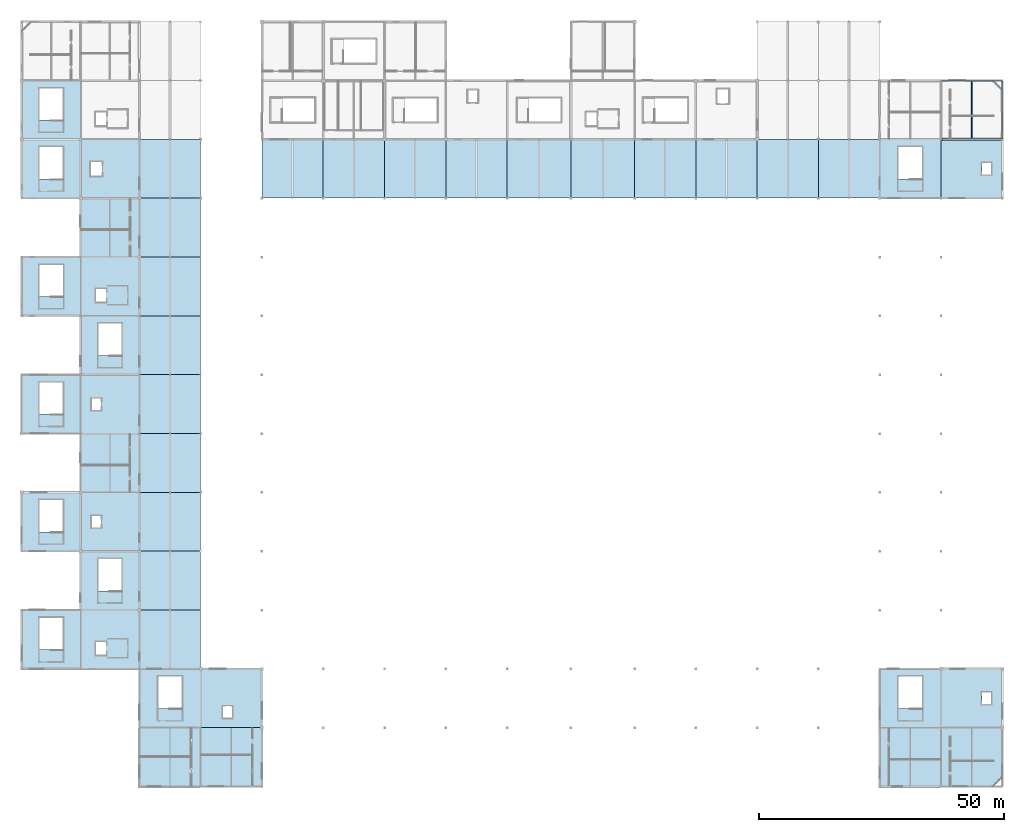
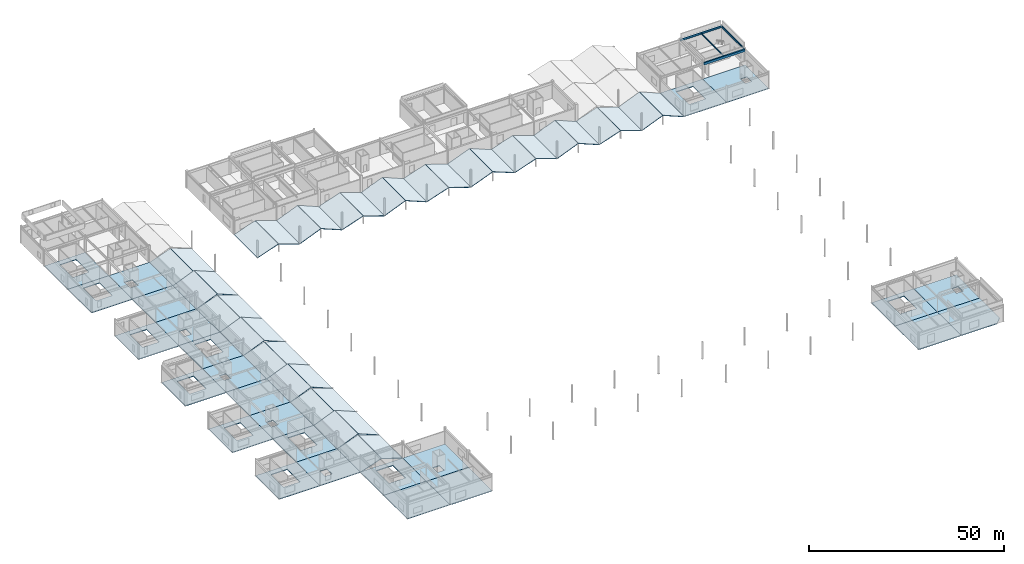
# One storey, part 49 of 76: 63 slabs, 4 beams.
"""IFC4 building model written with IfcOpenShell, lengths in metres."""

from ifc_helpers import new_model, si_unit, direction, frame, origin, origin_2d, place, context, subcontext, project, spatial, polyline, rectangle, i_section, outline, extrude, material, layer, layer_set, material_profile, profile_set, type_object, element, save


model = new_model("IFC4")

# Units and contexts
model_context = context("Model", 3, precision=1e-05, world=origin(), true_north=direction((0.0, 1.0)))
body_context = subcontext(model_context, "Body", "Model", "MODEL_VIEW")
ifc_project = project(units=[si_unit("LENGTHUNIT", "METRE"), si_unit("AREAUNIT", "SQUARE_METRE"), si_unit("VOLUMEUNIT", "CUBIC_METRE"), si_unit("PLANEANGLEUNIT", "RADIAN"), si_unit("MASSUNIT", "GRAM", prefix="KILO")], contexts=[model_context])

# Site, building, storey
site_placement = place(None, origin())
site = spatial("IfcSite", under=ifc_project, at=site_placement, CompositionType="ELEMENT")
building_placement = place(site_placement, origin())
building = spatial("IfcBuilding", under=site, at=building_placement, Name="Kazenohara Klinker Stadium", CompositionType="ELEMENT")
storey_placement = place(building_placement, frame((0.0, 0.0, 25.800048828125)))
storey = spatial("IfcBuildingStorey", under=building, at=storey_placement, Name="L05", CompositionType="ELEMENT", Elevation=25.800048828125)

# Beams
ifc_material_1 = material(Name="Steel S355", Category="steel")
ifc_material_profile_1 = material_profile(ifc_material_1, i_section(OverallWidth=0.175048828125, OverallDepth=0.35009765625, WebThickness=0.007080078125, FlangeThickness=0.010986328125, FilletRadius=0.012939453125, at=origin_2d()), Name="H-350x175x7x11")
ifc_profile_set_1 = profile_set([ifc_material_profile_1], Name="Steel S355")
beam_type_1 = type_object("IfcBeamType", Name="BM-JST04", PredefinedType="JOIST", material=ifc_profile_set_1)
beam_1_placement = place(storey_placement, frame((193.75, 144.199951171875, 4.864990234375), z_axis=(0.0, 1.0, 0.0), x_axis=(-1.0, 0.0, 0.0)))
element("IfcBeam", 1, at=beam_1_placement, inside=storey, type_object=beam_type_1, Name="Secondary floor joist SJ04 L05 16/N", PredefinedType="JOIST", context=body_context, shape_type="SweptSolid", body=[
    extrude(i_section(OverallWidth=0.175048828125, OverallDepth=0.35009765625, WebThickness=0.007080078125, FlangeThickness=0.010986328125, FilletRadius=0.012939453125, at=origin_2d()), origin(), (0.0, 0.0, 1.0), 11.699951171875),
])
ifc_material_2 = material(Name="Concrete C40/50", Category="concrete")
ifc_material_profile_2 = material_profile(ifc_material_2, rectangle(XDim=0.39990234375, YDim=0.699951171875, at=origin_2d()), Name="RC-BM-400x700")
ifc_profile_set_2 = profile_set([ifc_material_profile_2], Name="Concrete C40/50")
beam_type_2 = type_object("IfcBeamType", Name="BM-RC04", PredefinedType="BEAM", material=ifc_profile_set_2)
beam_2_placement = place(storey_placement, frame((187.675048828125, 144.0, 4.68994140625), z_axis=(1.0, 0.0, 0.0), x_axis=(0.0, 1.0, 0.0)))
element("IfcBeam", 2, at=beam_2_placement, inside=storey, type_object=beam_type_2, Name="Primary girder BG04 L05 16-17/N", PredefinedType="BEAM", context=body_context, shape_type="SweptSolid", body=[
    extrude(rectangle(XDim=0.39990234375, YDim=0.699951171875, at=origin_2d()), origin(), (0.0, 0.0, 1.0), 12.175048828125),
])
ifc_material_profile_3 = material_profile(ifc_material_1, i_section(OverallWidth=0.199951171875, OverallDepth=0.60009765625, WebThickness=0.010986328125, FlangeThickness=0.01708984375, FilletRadius=0.012939453125, at=origin_2d()), Name="H-600x200x11x17")
ifc_profile_set_3 = profile_set([ifc_material_profile_3], Name="Steel S355")
beam_type_3 = type_object("IfcBeamType", Name="BM-ST04", PredefinedType="BEAM", material=ifc_profile_set_3)
beam_3_placement = place(storey_placement, frame((187.64990234375, 156.0, 4.739990234375), z_axis=(1.0, 0.0, 0.0), x_axis=(0.0, 1.0, 0.0)))
element("IfcBeam", 3, at=beam_3_placement, inside=storey, type_object=beam_type_3, Name="Primary girder SB04 L05 16-17/P", PredefinedType="BEAM", context=body_context, shape_type="SweptSolid", body=[
    extrude(i_section(OverallWidth=0.199951171875, OverallDepth=0.60009765625, WebThickness=0.010986328125, FlangeThickness=0.01708984375, FilletRadius=0.012939453125, at=origin_2d()), origin(), (0.0, 0.0, 1.0), 12.22509765625),
])
beam_4_placement = place(storey_placement, frame((200.0, 144.14990234375, 4.739990234375), z_axis=(0.0, 1.0, 0.0), x_axis=(-1.0, 0.0, 0.0)))
element("IfcBeam", 4, at=beam_4_placement, inside=storey, type_object=beam_type_3, Name="Primary girder SB04 L05 17/N-P", PredefinedType="BEAM", context=body_context, shape_type="SweptSolid", body=[
    extrude(i_section(OverallWidth=0.199951171875, OverallDepth=0.60009765625, WebThickness=0.010986328125, FlangeThickness=0.01708984375, FilletRadius=0.012939453125, at=origin_2d()), origin(), (0.0, 0.0, 1.0), 11.72509765625),
])

# Slabs
ifc_layer_1 = layer(ifc_material_2, 0.219970703125)
ifc_layer_set_1 = layer_set([ifc_layer_1], Name="Concrete C40/50")
slab_type_1 = type_object("IfcSlabType", Name="SLB-FLR-220", PredefinedType="FLOOR", material=ifc_layer_set_1)
slab_1_placement = place(storey_placement, frame((0.0, 0.0, -0.219970703125)))
element("IfcSlab", 5, at=slab_1_placement, inside=storey, type_object=slab_type_1, Name="Floor slab FS06 L05 1/D", PredefinedType="FLOOR", context=body_context, shape_type="SweptSolid", body=[
    extrude(outline(polyline([(0.0, 36.0), (12.0, 36.0), (12.0, 48.0), (0.0, 48.0), (0.0, 36.0)]), holes=[polyline([(8.39990234375, 39.919921875), (8.39990234375, 46.4599609375), (3.60009765625, 46.4599609375), (3.60009765625, 39.919921875), (8.39990234375, 39.919921875)])]), origin(), (0.0, 0.0, 1.0), 0.219970703125),
])
slab_2_placement = place(storey_placement, frame((0.0, 0.0, -0.219970703125)))
element("IfcSlab", 6, at=slab_2_placement, inside=storey, type_object=slab_type_1, Name="Floor slab FS06 L05 1/F", PredefinedType="FLOOR", context=body_context, shape_type="SweptSolid", body=[
    extrude(outline(polyline([(0.0, 60.0), (12.0, 60.0), (12.0, 72.0), (0.0, 72.0), (0.0, 60.0)]), holes=[polyline([(8.409912109375, 63.929931640625), (8.409912109375, 70.4599609375), (3.590087890625, 70.4599609375), (3.590087890625, 63.929931640625), (8.409912109375, 63.929931640625)])]), origin(), (0.0, 0.0, 1.0), 0.219970703125),
])
slab_3_placement = place(storey_placement, frame((0.0, 0.0, -0.219970703125)))
element("IfcSlab", 7, at=slab_3_placement, inside=storey, type_object=slab_type_1, Name="Floor slab FS06 L05 1/H", PredefinedType="FLOOR", context=body_context, shape_type="SweptSolid", body=[
    extrude(outline(polyline([(0.0, 84.0), (12.0, 84.0), (12.0, 96.0), (0.0, 96.0), (0.0, 84.0)]), holes=[polyline([(8.429931640625, 87.949951171875), (8.429931640625, 94.4599609375), (3.570068359375, 94.4599609375), (3.570068359375, 87.949951171875), (8.429931640625, 87.949951171875)])]), origin(), (0.0, 0.0, 1.0), 0.219970703125),
])
slab_4_placement = place(storey_placement, frame((0.0, 0.0, -0.219970703125)))
element("IfcSlab", 8, at=slab_4_placement, inside=storey, type_object=slab_type_1, Name="Floor slab FS06 L05 1/K", PredefinedType="FLOOR", context=body_context, shape_type="SweptSolid", body=[
    extrude(outline(polyline([(0.0, 108.0), (12.0, 108.0), (12.0, 120.0), (0.0, 120.0), (0.0, 108.0)]), holes=[polyline([(8.43994140625, 111.9599609375), (8.43994140625, 118.4599609375), (3.56005859375, 118.4599609375), (3.56005859375, 111.9599609375), (8.43994140625, 111.9599609375)])]), origin(), (0.0, 0.0, 1.0), 0.219970703125),
])
slab_5_placement = place(storey_placement, frame((0.0, 0.0, -0.219970703125)))
element("IfcSlab", 9, at=slab_5_placement, inside=storey, type_object=slab_type_1, Name="Floor slab FS06 L05 1/M", PredefinedType="FLOOR", context=body_context, shape_type="SweptSolid", body=[
    extrude(outline(polyline([(0.0, 132.0), (12.0, 132.0), (12.0, 144.0), (0.0, 144.0), (0.0, 132.0)]), holes=[polyline([(8.39990234375, 135.919921875), (8.39990234375, 142.4599609375), (3.60009765625, 142.4599609375), (3.60009765625, 135.919921875), (8.39990234375, 135.919921875)])]), origin(), (0.0, 0.0, 1.0), 0.219970703125),
])
slab_6_placement = place(storey_placement, frame((0.0, 0.0, -0.219970703125)))
element("IfcSlab", 10, at=slab_6_placement, inside=storey, type_object=slab_type_1, Name="Floor slab FS06 L05 1/N", PredefinedType="FLOOR", context=body_context, shape_type="SweptSolid", body=[
    extrude(outline(polyline([(0.0, 144.0), (12.0, 144.0), (12.0, 156.0), (0.0, 156.0), (0.0, 144.0)]), holes=[polyline([(8.409912109375, 147.929931640625), (8.409912109375, 154.4599609375), (3.590087890625, 154.4599609375), (3.590087890625, 147.929931640625), (8.409912109375, 147.929931640625)])]), origin(), (0.0, 0.0, 1.0), 0.219970703125),
])
slab_7_placement = place(storey_placement, frame((0.0, 0.0, -0.219970703125)))
element("IfcSlab", 11, at=slab_7_placement, inside=storey, type_object=slab_type_1, Name="Floor slab FS06 L05 2/D", PredefinedType="FLOOR", context=body_context, shape_type="SweptSolid", body=[
    extrude(outline(polyline([(12.0, 36.0), (24.0, 36.0), (24.0, 48.0), (12.0, 48.0), (12.0, 36.0)]), holes=[polyline([(15.14990234375, 38.85009765625), (17.25, 38.85009765625), (17.25, 41.550048828125), (15.14990234375, 41.550048828125), (15.14990234375, 38.85009765625)])]), origin(), (0.0, 0.0, 1.0), 0.219970703125),
])
slab_8_placement = place(storey_placement, frame((0.0, 0.0, -0.219970703125)))
element("IfcSlab", 12, at=slab_8_placement, inside=storey, type_object=slab_type_1, Name="Floor slab FS06 L05 2/E", PredefinedType="FLOOR", context=body_context, shape_type="SweptSolid", body=[
    extrude(outline(polyline([(12.0, 48.0), (24.0, 48.0), (24.0, 60.0), (12.0, 60.0), (12.0, 48.0)]), holes=[polyline([(20.39990234375, 51.919921875), (20.39990234375, 58.4599609375), (15.60009765625, 58.4599609375), (15.60009765625, 51.919921875), (20.39990234375, 51.919921875)])]), origin(), (0.0, 0.0, 1.0), 0.219970703125),
])
slab_9_placement = place(storey_placement, frame((0.0, 0.0, -0.219970703125)))
element("IfcSlab", 13, at=slab_9_placement, inside=storey, type_object=slab_type_1, Name="Floor slab FS06 L05 2/F", PredefinedType="FLOOR", context=body_context, shape_type="SweptSolid", body=[
    extrude(outline(polyline([(12.0, 60.0), (24.0, 60.0), (24.0, 72.0), (12.0, 72.0), (12.0, 60.0)]), holes=[polyline([(14.25, 64.800048828125), (16.14990234375, 64.800048828125), (16.14990234375, 67.199951171875), (14.25, 67.199951171875), (14.25, 64.800048828125)])]), origin(), (0.0, 0.0, 1.0), 0.219970703125),
])
slab_10_placement = place(storey_placement, frame((0.0, 0.0, -0.219970703125)))
element("IfcSlab", 14, at=slab_10_placement, inside=storey, type_object=slab_type_1, Name="Floor slab FS06 L05 2/G", PredefinedType="FLOOR", context=body_context, shape_type="SweptSolid", body=[
    extrude(outline(polyline([(12.0, 72.0), (24.0, 72.0), (24.0, 84.0), (12.0, 84.0), (12.0, 72.0)])), origin(), (0.0, 0.0, 1.0), 0.219970703125),
])
slab_11_placement = place(storey_placement, frame((0.0, 0.0, -0.219970703125)))
element("IfcSlab", 15, at=slab_11_placement, inside=storey, type_object=slab_type_1, Name="Floor slab FS06 L05 2/H", PredefinedType="FLOOR", context=body_context, shape_type="SweptSolid", body=[
    extrude(outline(polyline([(12.0, 84.0), (24.0, 84.0), (24.0, 96.0), (12.0, 96.0), (12.0, 84.0)]), holes=[polyline([(14.25, 88.800048828125), (16.14990234375, 88.800048828125), (16.14990234375, 91.199951171875), (14.25, 91.199951171875), (14.25, 88.800048828125)])]), origin(), (0.0, 0.0, 1.0), 0.219970703125),
])
slab_12_placement = place(storey_placement, frame((0.0, 0.0, -0.219970703125)))
element("IfcSlab", 16, at=slab_12_placement, inside=storey, type_object=slab_type_1, Name="Floor slab FS06 L05 2/J", PredefinedType="FLOOR", context=body_context, shape_type="SweptSolid", body=[
    extrude(outline(polyline([(12.0, 96.0), (24.0, 96.0), (24.0, 108.0), (12.0, 108.0), (12.0, 96.0)]), holes=[polyline([(20.409912109375, 99.929931640625), (20.409912109375, 106.4599609375), (15.590087890625, 106.4599609375), (15.590087890625, 99.929931640625), (20.409912109375, 99.929931640625)])]), origin(), (0.0, 0.0, 1.0), 0.219970703125),
])
slab_13_placement = place(storey_placement, frame((0.0, 0.0, -0.219970703125)))
element("IfcSlab", 17, at=slab_13_placement, inside=storey, type_object=slab_type_1, Name="Floor slab FS06 L05 2/K", PredefinedType="FLOOR", context=body_context, shape_type="SweptSolid", body=[
    extrude(outline(polyline([(12.0, 108.0), (24.0, 108.0), (24.0, 120.0), (12.0, 120.0), (12.0, 108.0)]), holes=[polyline([(15.14990234375, 110.85009765625), (17.25, 110.85009765625), (17.25, 113.550048828125), (15.14990234375, 113.550048828125), (15.14990234375, 110.85009765625)])]), origin(), (0.0, 0.0, 1.0), 0.219970703125),
])
slab_14_placement = place(storey_placement, frame((0.0, 0.0, -0.219970703125)))
element("IfcSlab", 18, at=slab_14_placement, inside=storey, type_object=slab_type_1, Name="Floor slab FS06 L05 2/L", PredefinedType="FLOOR", context=body_context, shape_type="SweptSolid", body=[
    extrude(outline(polyline([(12.0, 120.0), (24.0, 120.0), (24.0, 132.0), (12.0, 132.0), (12.0, 120.0)])), origin(), (0.0, 0.0, 1.0), 0.219970703125),
])
slab_15_placement = place(storey_placement, frame((0.0, 0.0, -0.219970703125)))
element("IfcSlab", 19, at=slab_15_placement, inside=storey, type_object=slab_type_1, Name="Floor slab FS06 L05 2/M", PredefinedType="FLOOR", context=body_context, shape_type="SweptSolid", body=[
    extrude(outline(polyline([(12.0, 132.0), (24.0, 132.0), (24.0, 144.0), (12.0, 144.0), (12.0, 132.0)]), holes=[polyline([(14.050048828125, 136.550048828125), (16.35009765625, 136.550048828125), (16.35009765625, 139.449951171875), (14.050048828125, 139.449951171875), (14.050048828125, 136.550048828125)])]), origin(), (0.0, 0.0, 1.0), 0.219970703125),
])
slab_16_placement = place(storey_placement, frame((0.0, 0.0, -0.219970703125)))
element("IfcSlab", 20, at=slab_16_placement, inside=storey, type_object=slab_type_1, Name="Floor slab FS06 L05 3/B", PredefinedType="FLOOR", context=body_context, shape_type="SweptSolid", body=[
    extrude(outline(polyline([(24.0, 12.0), (36.5, 12.0), (36.5, 24.0), (24.0, 24.0), (24.0, 12.0)])), origin(), (0.0, 0.0, 1.0), 0.219970703125),
])
slab_17_placement = place(storey_placement, frame((0.0, 0.0, -0.219970703125)))
element("IfcSlab", 21, at=slab_17_placement, inside=storey, type_object=slab_type_1, Name="Floor slab FS06 L05 3/C", PredefinedType="FLOOR", context=body_context, shape_type="SweptSolid", body=[
    extrude(outline(polyline([(24.0, 24.0), (36.5, 24.0), (36.5, 36.0), (24.0, 36.0), (24.0, 24.0)]), holes=[polyline([(32.679931640625, 27.949951171875), (32.679931640625, 34.4599609375), (27.820068359375, 34.4599609375), (27.820068359375, 27.949951171875), (32.679931640625, 27.949951171875)])]), origin(), (0.0, 0.0, 1.0), 0.219970703125),
])
slab_18_placement = place(storey_placement, frame((0.0, 0.0, -0.219970703125)))
element("IfcSlab", 22, at=slab_18_placement, inside=storey, type_object=slab_type_1, Name="Floor slab FS06 L05 4/B", PredefinedType="FLOOR", context=body_context, shape_type="SweptSolid", body=[
    extrude(outline(polyline([(36.5, 12.0), (49.0, 12.0), (49.0, 24.0), (36.5, 24.0), (36.5, 12.0)])), origin(), (0.0, 0.0, 1.0), 0.219970703125),
])
slab_19_placement = place(storey_placement, frame((0.0, 0.0, -0.219970703125)))
element("IfcSlab", 23, at=slab_19_placement, inside=storey, type_object=slab_type_1, Name="Floor slab FS06 L05 4/C", PredefinedType="FLOOR", context=body_context, shape_type="SweptSolid", body=[
    extrude(outline(polyline([(36.5, 24.0), (49.0, 24.0), (49.0, 36.0), (36.5, 36.0), (36.5, 24.0)]), holes=[polyline([(41.050048828125, 26.0), (42.949951171875, 26.0), (42.949951171875, 28.39990234375), (41.050048828125, 28.39990234375), (41.050048828125, 26.0)])]), origin(), (0.0, 0.0, 1.0), 0.219970703125),
])
slab_20_placement = place(storey_placement, frame((0.0, 0.0, -0.219970703125)))
element("IfcSlab", 24, at=slab_20_placement, inside=storey, type_object=slab_type_1, Name="Floor slab FS06 L05 15/B", PredefinedType="FLOOR", context=body_context, shape_type="SweptSolid", body=[
    extrude(outline(polyline([(175.0, 12.0), (187.5, 12.0), (187.5, 24.0), (175.0, 24.0), (175.0, 12.0)])), origin(), (0.0, 0.0, 1.0), 0.219970703125),
])
slab_21_placement = place(storey_placement, frame((0.0, 0.0, -0.219970703125)))
element("IfcSlab", 25, at=slab_21_placement, inside=storey, type_object=slab_type_1, Name="Floor slab FS06 L05 15/C", PredefinedType="FLOOR", context=body_context, shape_type="SweptSolid", body=[
    extrude(outline(polyline([(175.0, 24.0), (187.5, 24.0), (187.5, 36.0), (175.0, 36.0), (175.0, 24.0)]), holes=[polyline([(183.68994140625, 27.9599609375), (183.68994140625, 34.4599609375), (178.81005859375, 34.4599609375), (178.81005859375, 27.9599609375), (183.68994140625, 27.9599609375)])]), origin(), (0.0, 0.0, 1.0), 0.219970703125),
])
slab_22_placement = place(storey_placement, frame((0.0, 0.0, -0.219970703125)))
element("IfcSlab", 26, at=slab_22_placement, inside=storey, type_object=slab_type_1, Name="Floor slab FS06 L05 15/M", PredefinedType="FLOOR", context=body_context, shape_type="SweptSolid", body=[
    extrude(outline(polyline([(175.0, 132.0), (187.5, 132.0), (187.5, 144.0), (175.0, 144.0), (175.0, 132.0)]), holes=[polyline([(183.68994140625, 135.9599609375), (183.68994140625, 142.4599609375), (178.81005859375, 142.4599609375), (178.81005859375, 135.9599609375), (183.68994140625, 135.9599609375)])]), origin(), (0.0, 0.0, 1.0), 0.219970703125),
])
slab_23_placement = place(storey_placement, frame((0.0, 0.0, -0.219970703125)))
element("IfcSlab", 27, at=slab_23_placement, inside=storey, type_object=slab_type_1, Name="Floor slab FS06 L05 16/B", PredefinedType="FLOOR", context=body_context, shape_type="SweptSolid", body=[
    extrude(outline(polyline([(187.5, 12.0), (198.199951171875, 12.0), (200.0, 13.800048828125), (200.0, 24.0), (187.5, 24.0), (187.5, 12.0)])), origin(), (0.0, 0.0, 1.0), 0.219970703125),
])
slab_24_placement = place(storey_placement, frame((0.0, 0.0, -0.219970703125)))
element("IfcSlab", 28, at=slab_24_placement, inside=storey, type_object=slab_type_1, Name="Floor slab FS06 L05 16/C", PredefinedType="FLOOR", context=body_context, shape_type="SweptSolid", body=[
    extrude(outline(polyline([(187.5, 24.0), (200.0, 24.0), (200.0, 36.0), (187.5, 36.0), (187.5, 24.0)]), holes=[polyline([(195.85009765625, 28.800048828125), (197.75, 28.800048828125), (197.75, 31.199951171875), (195.85009765625, 31.199951171875), (195.85009765625, 28.800048828125)])]), origin(), (0.0, 0.0, 1.0), 0.219970703125),
])
slab_25_placement = place(storey_placement, frame((0.0, 0.0, -0.219970703125)))
element("IfcSlab", 29, at=slab_25_placement, inside=storey, type_object=slab_type_1, Name="Floor slab FS06 L05 16/M", PredefinedType="FLOOR", context=body_context, shape_type="SweptSolid", body=[
    extrude(outline(polyline([(187.5, 132.0), (200.0, 132.0), (200.0, 144.0), (187.5, 144.0), (187.5, 132.0)]), holes=[polyline([(195.85009765625, 136.800048828125), (197.75, 136.800048828125), (197.75, 139.199951171875), (195.85009765625, 139.199951171875), (195.85009765625, 136.800048828125)])]), origin(), (0.0, 0.0, 1.0), 0.219970703125),
])
ifc_layer_2 = layer(ifc_material_1, 0.169921875)
ifc_layer_set_2 = layer_set([ifc_layer_2], Name="Steel S355")
slab_type_2 = type_object("IfcSlabType", Name="SLB-ROOF-170", PredefinedType="ROOF", material=ifc_layer_set_2)
for number, where, z_axis, x_axis, name in (
    (30, (24.0, 36.0, -0.080078125), (-0.327656136105, 0.0, 0.944797045123), (0.944797045123, 0.0, 0.327656136105), "Sloped snow-shedding wing roof RS02 L05 3/D A"),
    (31, (30.300048828125, 36.0, 2.070068359375), (0.327656136105, 0.0, 0.944797045123), (0.944797045123, 0.0, -0.327656136105), "Sloped snow-shedding wing roof RS02 L05 3/D B"),
):
    element("IfcSlab", number, at=place(storey_placement, frame(where, z_axis=z_axis, x_axis=x_axis)), inside=storey, type_object=slab_type_2, Name=name, PredefinedType="ROOF", context=body_context, shape_type="SweptSolid", body=[
        extrude(outline(polyline([(0.0, 0.0), (6.562204236223097, 0.0), (6.562204236223097, 12.0), (0.0, 12.0), (0.0, 0.0)])), origin(), (0.0, 0.0, -1.0), 0.169921875),
    ])
for number, where, z_axis, x_axis, name in (
    (32, (24.0, 48.0, -0.080078125), (-0.380383442935, 0.0, 0.924828868678), (0.924828868678, 0.0, 0.380383442935), "Sloped snow-shedding wing roof RS02 L05 3/E A"),
    (33, (30.300048828125, 48.0, 2.469970703125), (0.380383442935, 0.0, 0.924828868678), (0.924828868678, 0.0, -0.380383442935), "Sloped snow-shedding wing roof RS02 L05 3/E B"),
):
    element("IfcSlab", number, at=place(storey_placement, frame(where, z_axis=z_axis, x_axis=x_axis)), inside=storey, type_object=slab_type_2, Name=name, PredefinedType="ROOF", context=body_context, shape_type="SweptSolid", body=[
        extrude(outline(polyline([(0.0, 0.0), (6.703890181040846, 0.0), (6.703890181040846, 12.0), (0.0, 12.0), (0.0, 0.0)])), origin(), (0.0, 0.0, -1.0), 0.169921875),
    ])
for number, where, z_axis, x_axis, name in (
    (34, (24.0, 60.0, -0.080078125), (-0.327656136105, 0.0, 0.944797045123), (0.944797045123, 0.0, 0.327656136105), "Sloped snow-shedding wing roof RS02 L05 3/F A"),
    (35, (30.300048828125, 60.0, 2.070068359375), (0.327656136105, 0.0, 0.944797045123), (0.944797045123, 0.0, -0.327656136105), "Sloped snow-shedding wing roof RS02 L05 3/F B"),
):
    element("IfcSlab", number, at=place(storey_placement, frame(where, z_axis=z_axis, x_axis=x_axis)), inside=storey, type_object=slab_type_2, Name=name, PredefinedType="ROOF", context=body_context, shape_type="SweptSolid", body=[
        extrude(outline(polyline([(0.0, 0.0), (6.562204236223097, 0.0), (6.562204236223097, 12.0), (0.0, 12.0), (0.0, 0.0)])), origin(), (0.0, 0.0, -1.0), 0.169921875),
    ])
for number, where, z_axis, x_axis, name in (
    (36, (24.0, 72.0, -0.080078125), (-0.380383442935, 0.0, 0.924828868678), (0.924828868678, 0.0, 0.380383442935), "Sloped snow-shedding wing roof RS02 L05 3/G A"),
    (37, (30.300048828125, 72.0, 2.469970703125), (0.380383442935, 0.0, 0.924828868678), (0.924828868678, 0.0, -0.380383442935), "Sloped snow-shedding wing roof RS02 L05 3/G B"),
):
    element("IfcSlab", number, at=place(storey_placement, frame(where, z_axis=z_axis, x_axis=x_axis)), inside=storey, type_object=slab_type_2, Name=name, PredefinedType="ROOF", context=body_context, shape_type="SweptSolid", body=[
        extrude(outline(polyline([(0.0, 0.0), (6.703890181040846, 0.0), (6.703890181040846, 12.0), (0.0, 12.0), (0.0, 0.0)])), origin(), (0.0, 0.0, -1.0), 0.169921875),
    ])
for number, where, z_axis, x_axis, name in (
    (38, (24.0, 84.0, -0.080078125), (-0.327656136105, 0.0, 0.944797045123), (0.944797045123, 0.0, 0.327656136105), "Sloped snow-shedding wing roof RS02 L05 3/H A"),
    (39, (30.300048828125, 84.0, 2.070068359375), (0.327656136105, 0.0, 0.944797045123), (0.944797045123, 0.0, -0.327656136105), "Sloped snow-shedding wing roof RS02 L05 3/H B"),
):
    element("IfcSlab", number, at=place(storey_placement, frame(where, z_axis=z_axis, x_axis=x_axis)), inside=storey, type_object=slab_type_2, Name=name, PredefinedType="ROOF", context=body_context, shape_type="SweptSolid", body=[
        extrude(outline(polyline([(0.0, 0.0), (6.562204236223097, 0.0), (6.562204236223097, 12.0), (0.0, 12.0), (0.0, 0.0)])), origin(), (0.0, 0.0, -1.0), 0.169921875),
    ])
for number, where, z_axis, x_axis, name in (
    (40, (24.0, 96.0, -0.080078125), (-0.380383442935, 0.0, 0.924828868678), (0.924828868678, 0.0, 0.380383442935), "Sloped snow-shedding wing roof RS02 L05 3/J A"),
    (41, (30.300048828125, 96.0, 2.469970703125), (0.380383442935, 0.0, 0.924828868678), (0.924828868678, 0.0, -0.380383442935), "Sloped snow-shedding wing roof RS02 L05 3/J B"),
):
    element("IfcSlab", number, at=place(storey_placement, frame(where, z_axis=z_axis, x_axis=x_axis)), inside=storey, type_object=slab_type_2, Name=name, PredefinedType="ROOF", context=body_context, shape_type="SweptSolid", body=[
        extrude(outline(polyline([(0.0, 0.0), (6.703890181040846, 0.0), (6.703890181040846, 12.0), (0.0, 12.0), (0.0, 0.0)])), origin(), (0.0, 0.0, -1.0), 0.169921875),
    ])
for number, where, z_axis, x_axis, name in (
    (42, (24.0, 108.0, -0.080078125), (-0.327656136105, 0.0, 0.944797045123), (0.944797045123, 0.0, 0.327656136105), "Sloped snow-shedding wing roof RS02 L05 3/K A"),
    (43, (30.300048828125, 108.0, 2.070068359375), (0.327656136105, 0.0, 0.944797045123), (0.944797045123, 0.0, -0.327656136105), "Sloped snow-shedding wing roof RS02 L05 3/K B"),
):
    element("IfcSlab", number, at=place(storey_placement, frame(where, z_axis=z_axis, x_axis=x_axis)), inside=storey, type_object=slab_type_2, Name=name, PredefinedType="ROOF", context=body_context, shape_type="SweptSolid", body=[
        extrude(outline(polyline([(0.0, 0.0), (6.562204236223097, 0.0), (6.562204236223097, 12.0), (0.0, 12.0), (0.0, 0.0)])), origin(), (0.0, 0.0, -1.0), 0.169921875),
    ])
for number, where, z_axis, x_axis, name in (
    (44, (24.0, 120.0, -0.080078125), (-0.380383442935, 0.0, 0.924828868678), (0.924828868678, 0.0, 0.380383442935), "Sloped snow-shedding wing roof RS02 L05 3/L A"),
    (45, (30.300048828125, 120.0, 2.469970703125), (0.380383442935, 0.0, 0.924828868678), (0.924828868678, 0.0, -0.380383442935), "Sloped snow-shedding wing roof RS02 L05 3/L B"),
):
    element("IfcSlab", number, at=place(storey_placement, frame(where, z_axis=z_axis, x_axis=x_axis)), inside=storey, type_object=slab_type_2, Name=name, PredefinedType="ROOF", context=body_context, shape_type="SweptSolid", body=[
        extrude(outline(polyline([(0.0, 0.0), (6.703890181040846, 0.0), (6.703890181040846, 12.0), (0.0, 12.0), (0.0, 0.0)])), origin(), (0.0, 0.0, -1.0), 0.169921875),
    ])
for number, where, z_axis, x_axis, name in (
    (46, (24.0, 132.0, -0.080078125), (-0.327656136105, 0.0, 0.944797045123), (0.944797045123, 0.0, 0.327656136105), "Sloped snow-shedding wing roof RS02 L05 3/M A"),
    (47, (30.300048828125, 132.0, 2.070068359375), (0.327656136105, 0.0, 0.944797045123), (0.944797045123, 0.0, -0.327656136105), "Sloped snow-shedding wing roof RS02 L05 3/M B"),
    (48, (49.0, 132.0, -0.080078125), (-0.327656136105, 0.0, 0.944797045123), (0.944797045123, 0.0, 0.327656136105), "Sloped snow-shedding wing roof RS02 L05 5/M A"),
    (49, (55.300048828125, 132.0, 2.070068359375), (0.327656136105, 0.0, 0.944797045123), (0.944797045123, 0.0, -0.327656136105), "Sloped snow-shedding wing roof RS02 L05 5/M B"),
):
    element("IfcSlab", number, at=place(storey_placement, frame(where, z_axis=z_axis, x_axis=x_axis)), inside=storey, type_object=slab_type_2, Name=name, PredefinedType="ROOF", context=body_context, shape_type="SweptSolid", body=[
        extrude(outline(polyline([(0.0, 0.0), (6.562204236223097, 0.0), (6.562204236223097, 12.0), (0.0, 12.0), (0.0, 0.0)])), origin(), (0.0, 0.0, -1.0), 0.169921875),
    ])
for number, where, z_axis, x_axis, name in (
    (50, (61.5, 132.0, -0.080078125), (-0.380383442935, 0.0, 0.924828868678), (0.924828868678, 0.0, 0.380383442935), "Sloped snow-shedding wing roof RS02 L05 6/M A"),
    (51, (67.800048828125, 132.0, 2.469970703125), (0.380383442935, 0.0, 0.924828868678), (0.924828868678, 0.0, -0.380383442935), "Sloped snow-shedding wing roof RS02 L05 6/M B"),
):
    element("IfcSlab", number, at=place(storey_placement, frame(where, z_axis=z_axis, x_axis=x_axis)), inside=storey, type_object=slab_type_2, Name=name, PredefinedType="ROOF", context=body_context, shape_type="SweptSolid", body=[
        extrude(outline(polyline([(0.0, 0.0), (6.703890181040846, 0.0), (6.703890181040846, 12.0), (0.0, 12.0), (0.0, 0.0)])), origin(), (0.0, 0.0, -1.0), 0.169921875),
    ])
for number, where, z_axis, x_axis, name in (
    (52, (74.0, 132.0, -0.080078125), (-0.327656136105, 0.0, 0.944797045123), (0.944797045123, 0.0, 0.327656136105), "Sloped snow-shedding wing roof RS02 L05 7/M A"),
    (53, (80.300048828125, 132.0, 2.070068359375), (0.327656136105, 0.0, 0.944797045123), (0.944797045123, 0.0, -0.327656136105), "Sloped snow-shedding wing roof RS02 L05 7/M B"),
):
    element("IfcSlab", number, at=place(storey_placement, frame(where, z_axis=z_axis, x_axis=x_axis)), inside=storey, type_object=slab_type_2, Name=name, PredefinedType="ROOF", context=body_context, shape_type="SweptSolid", body=[
        extrude(outline(polyline([(0.0, 0.0), (6.562204236223097, 0.0), (6.562204236223097, 12.0), (0.0, 12.0), (0.0, 0.0)])), origin(), (0.0, 0.0, -1.0), 0.169921875),
    ])
for number, where, z_axis, x_axis, name in (
    (54, (86.5, 132.0, -0.080078125), (-0.380383442935, 0.0, 0.924828868678), (0.924828868678, 0.0, 0.380383442935), "Sloped snow-shedding wing roof RS02 L05 8/M A"),
    (55, (92.800048828125, 132.0, 2.469970703125), (0.380383442935, 0.0, 0.924828868678), (0.924828868678, 0.0, -0.380383442935), "Sloped snow-shedding wing roof RS02 L05 8/M B"),
):
    element("IfcSlab", number, at=place(storey_placement, frame(where, z_axis=z_axis, x_axis=x_axis)), inside=storey, type_object=slab_type_2, Name=name, PredefinedType="ROOF", context=body_context, shape_type="SweptSolid", body=[
        extrude(outline(polyline([(0.0, 0.0), (6.703890181040846, 0.0), (6.703890181040846, 12.0), (0.0, 12.0), (0.0, 0.0)])), origin(), (0.0, 0.0, -1.0), 0.169921875),
    ])
for number, where, z_axis, x_axis, name in (
    (56, (99.0, 132.0, -0.080078125), (-0.31624931125, 0.0, 0.948676116034), (0.948676116034, 0.0, 0.31624931125), "Sloped snow-shedding wing roof RS02 L05 9/M A"),
    (57, (105.550048828125, 132.0, 2.070068359375), (0.31624931125, 0.0, 0.948676116034), (0.948676116034, 0.0, -0.31624931125), "Sloped snow-shedding wing roof RS02 L05 9/M B"),
):
    element("IfcSlab", number, at=place(storey_placement, frame(where, z_axis=z_axis, x_axis=x_axis)), inside=storey, type_object=slab_type_2, Name=name, PredefinedType="ROOF", context=body_context, shape_type="SweptSolid", body=[
        extrude(outline(polyline([(0.0, 0.0), (6.798896971115378, 0.0), (6.798896971115378, 12.0), (0.0, 12.0), (0.0, 0.0)])), origin(), (0.0, 0.0, -1.0), 0.169921875),
    ])
for number, where, z_axis, x_axis, name in (
    (58, (112.0, 132.0, -0.080078125), (-0.36766738485, 0.0, 0.929957361451), (0.929957361451, 0.0, 0.36766738485), "Sloped snow-shedding wing roof RS02 L05 10/M A"),
    (59, (118.550048828125, 132.0, 2.469970703125), (0.36766738485, 0.0, 0.929957361451), (0.929957361451, 0.0, -0.36766738485), "Sloped snow-shedding wing roof RS02 L05 10/M B"),
):
    element("IfcSlab", number, at=place(storey_placement, frame(where, z_axis=z_axis, x_axis=x_axis)), inside=storey, type_object=slab_type_2, Name=name, PredefinedType="ROOF", context=body_context, shape_type="SweptSolid", body=[
        extrude(outline(polyline([(0.0, 0.0), (6.935749357163461, 0.0), (6.935749357163461, 12.0), (0.0, 12.0), (0.0, 0.0)])), origin(), (0.0, 0.0, -1.0), 0.169921875),
    ])
for number, where, z_axis, x_axis, name in (
    (60, (125.0, 132.0, -0.080078125), (-0.327656136105, 0.0, 0.944797045123), (0.944797045123, 0.0, 0.327656136105), "Sloped snow-shedding wing roof RS02 L05 11/M A"),
    (61, (131.300048828125, 132.0, 2.070068359375), (0.327656136105, 0.0, 0.944797045123), (0.944797045123, 0.0, -0.327656136105), "Sloped snow-shedding wing roof RS02 L05 11/M B"),
):
    element("IfcSlab", number, at=place(storey_placement, frame(where, z_axis=z_axis, x_axis=x_axis)), inside=storey, type_object=slab_type_2, Name=name, PredefinedType="ROOF", context=body_context, shape_type="SweptSolid", body=[
        extrude(outline(polyline([(0.0, 0.0), (6.562204236223097, 0.0), (6.562204236223097, 12.0), (0.0, 12.0), (0.0, 0.0)])), origin(), (0.0, 0.0, -1.0), 0.169921875),
    ])
for number, where, z_axis, x_axis, name in (
    (62, (137.5, 132.0, -0.080078125), (-0.380383442935, 0.0, 0.924828868678), (0.924828868678, 0.0, 0.380383442935), "Sloped snow-shedding wing roof RS02 L05 12/M A"),
    (63, (143.800048828125, 132.0, 2.469970703125), (0.380383442935, 0.0, 0.924828868678), (0.924828868678, 0.0, -0.380383442935), "Sloped snow-shedding wing roof RS02 L05 12/M B"),
):
    element("IfcSlab", number, at=place(storey_placement, frame(where, z_axis=z_axis, x_axis=x_axis)), inside=storey, type_object=slab_type_2, Name=name, PredefinedType="ROOF", context=body_context, shape_type="SweptSolid", body=[
        extrude(outline(polyline([(0.0, 0.0), (6.703890181040846, 0.0), (6.703890181040846, 12.0), (0.0, 12.0), (0.0, 0.0)])), origin(), (0.0, 0.0, -1.0), 0.169921875),
    ])
for number, where, z_axis, x_axis, name in (
    (64, (150.0, 132.0, -0.080078125), (-0.327656136105, 0.0, 0.944797045123), (0.944797045123, 0.0, 0.327656136105), "Sloped snow-shedding wing roof RS02 L05 13/M A"),
    (65, (156.300048828125, 132.0, 2.070068359375), (0.327656136105, 0.0, 0.944797045123), (0.944797045123, 0.0, -0.327656136105), "Sloped snow-shedding wing roof RS02 L05 13/M B"),
):
    element("IfcSlab", number, at=place(storey_placement, frame(where, z_axis=z_axis, x_axis=x_axis)), inside=storey, type_object=slab_type_2, Name=name, PredefinedType="ROOF", context=body_context, shape_type="SweptSolid", body=[
        extrude(outline(polyline([(0.0, 0.0), (6.562204236223097, 0.0), (6.562204236223097, 12.0), (0.0, 12.0), (0.0, 0.0)])), origin(), (0.0, 0.0, -1.0), 0.169921875),
    ])
for number, where, z_axis, x_axis, name in (
    (66, (162.5, 132.0, -0.080078125), (-0.380383442935, 0.0, 0.924828868678), (0.924828868678, 0.0, 0.380383442935), "Sloped snow-shedding wing roof RS02 L05 14/M A"),
    (67, (168.800048828125, 132.0, 2.469970703125), (0.380383442935, 0.0, 0.924828868678), (0.924828868678, 0.0, -0.380383442935), "Sloped snow-shedding wing roof RS02 L05 14/M B"),
):
    element("IfcSlab", number, at=place(storey_placement, frame(where, z_axis=z_axis, x_axis=x_axis)), inside=storey, type_object=slab_type_2, Name=name, PredefinedType="ROOF", context=body_context, shape_type="SweptSolid", body=[
        extrude(outline(polyline([(0.0, 0.0), (6.703890181040846, 0.0), (6.703890181040846, 12.0), (0.0, 12.0), (0.0, 0.0)])), origin(), (0.0, 0.0, -1.0), 0.169921875),
    ])

save(model, "model.ifc")
